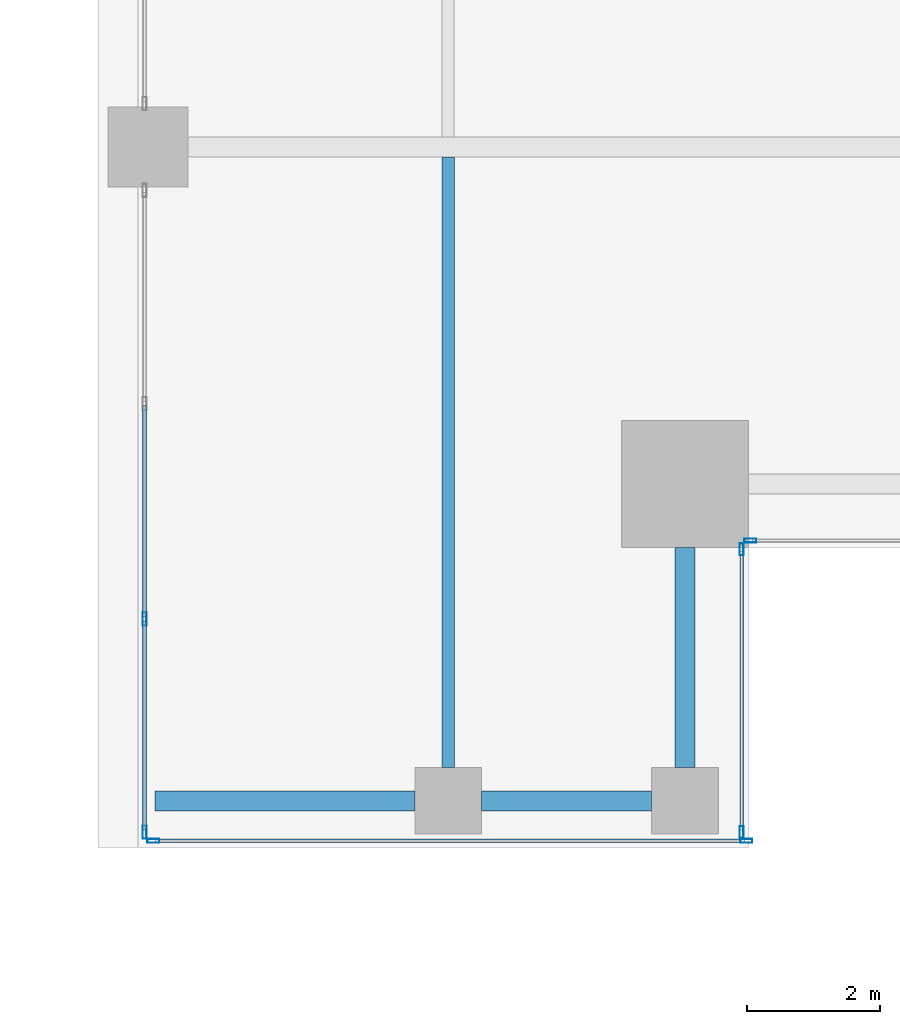
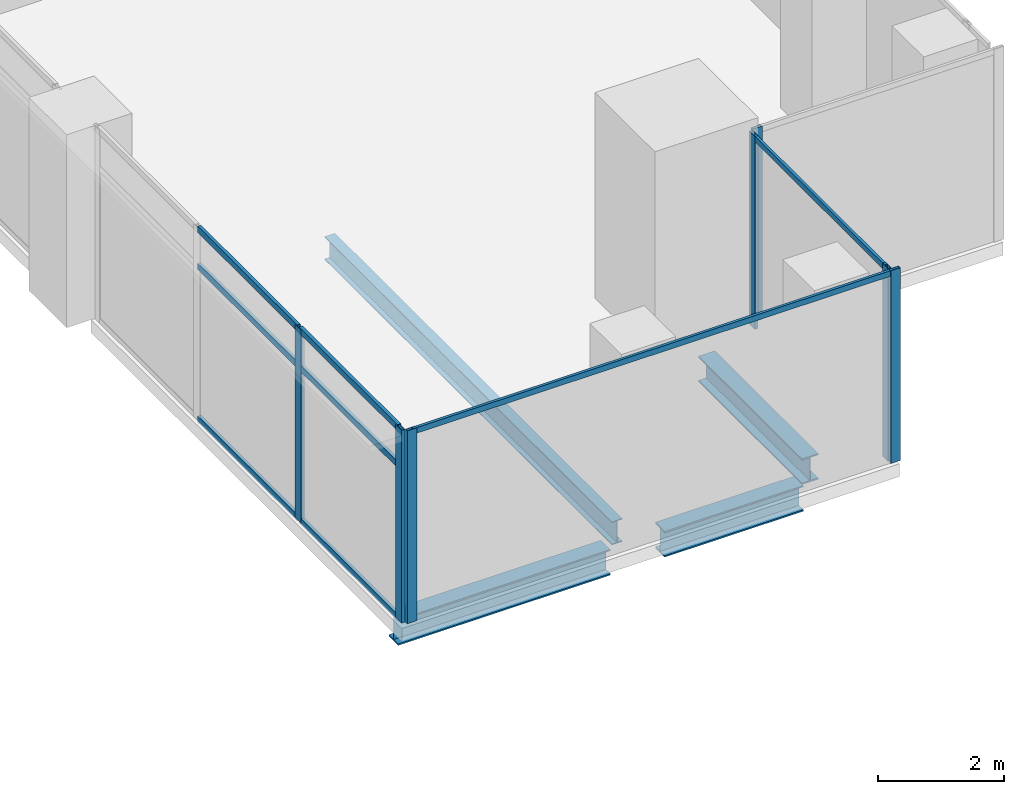
# One storey, part 10 of 38: 15 members, 4 beams, 4 elements without a shape of their own.
"""IFC4 building model written with IfcOpenShell, lengths in metres."""

from ifc_helpers import new_model, si_unit, direction, frame, origin, origin_2d, place, context, subcontext, project, spatial, hollow_rectangle, i_section, extrude, source, transform, mapped, material, material_profile, profile_set, type_object, element, aggregate, save


model = new_model("IFC4")

# Units and contexts
model_context = context("Model", 3, precision=1e-05, world=origin(), true_north=direction((0.0, 1.0)))
body_context = subcontext(model_context, "Body", "Model", "MODEL_VIEW")
ifc_project = project(units=[si_unit("LENGTHUNIT", "METRE"), si_unit("AREAUNIT", "SQUARE_METRE"), si_unit("VOLUMEUNIT", "CUBIC_METRE"), si_unit("PLANEANGLEUNIT", "RADIAN"), si_unit("MASSUNIT", "GRAM", prefix="KILO")], contexts=[model_context])

# Site, building, storey
site_placement = place(None, origin())
site = spatial("IfcSite", under=ifc_project, at=site_placement, CompositionType="ELEMENT")
building_placement = place(site_placement, origin())
building = spatial("IfcBuilding", under=site, at=building_placement, Name="Khomas Fold Tower", CompositionType="ELEMENT")
storey_placement = place(building_placement, frame((0.0, 0.0, 172.699951171875)))
storey = spatial("IfcBuildingStorey", under=building, at=storey_placement, Name="L37", CompositionType="ELEMENT", Elevation=172.699951171875)

# Beams
ifc_material_1 = material(Name="Steel S355", Category="steel")
ifc_material_profile_1 = material_profile(ifc_material_1, i_section(OverallWidth=0.300048828125, OverallDepth=0.5, WebThickness=0.014404296875, FlangeThickness=0.028076171875, at=origin_2d()), Name="HE 500 B")
ifc_profile_set_1 = profile_set([ifc_material_profile_1], Name="Steel S355")
beam_type_1 = type_object("IfcBeamType", Name="HE 500 B spandrel SB3", PredefinedType="SPANDREL", material=ifc_profile_set_1)
shared_shape_1 = source(origin(), body_context, "Body", "SweptSolid", [
    extrude(i_section(OverallWidth=0.300048828125, OverallDepth=0.5, WebThickness=0.014404296875, FlangeThickness=0.028076171875, at=origin_2d()), origin(), (0.0, 0.0, 1.0), 2.550048828125),
])
beam_1_placement = place(storey_placement, frame((42.5, 3.699951171875, -0.5), z_axis=(1.0, 0.0, 0.0), x_axis=(0.0, 1.0, 0.0)))
element("IfcBeam", 1, at=beam_1_placement, inside=storey, type_object=beam_type_1, Name="SB3", PredefinedType="SPANDREL", context=body_context, shape_type="MappedRepresentation", body=[
    mapped(shared_shape_1, transform((0.0, 0.0, 0.0))),
])
shared_shape_2 = source(origin(), body_context, "Body", "SweptSolid", [
    extrude(i_section(OverallWidth=0.300048828125, OverallDepth=0.5, WebThickness=0.014404296875, FlangeThickness=0.028076171875, at=origin_2d()), origin(), (0.0, 0.0, 1.0), 3.89990234375),
])
beam_2_placement = place(storey_placement, frame((37.60009765625, 3.699951171875, -0.5), z_axis=(1.0, 0.0, 0.0), x_axis=(0.0, 1.0, 0.0)))
element("IfcBeam", 2, at=beam_2_placement, inside=storey, type_object=beam_type_1, Name="SB3", PredefinedType="SPANDREL", context=body_context, shape_type="MappedRepresentation", body=[
    mapped(shared_shape_2, transform((0.0, 0.0, 0.0))),
])
shared_shape_3 = source(origin(), body_context, "Body", "SweptSolid", [
    extrude(i_section(OverallWidth=0.300048828125, OverallDepth=0.5, WebThickness=0.014404296875, FlangeThickness=0.028076171875, at=origin_2d()), origin(), (0.0, 0.0, 1.0), 3.300048828125),
])
beam_3_placement = place(storey_placement, frame((45.550048828125, 4.199951171875, -0.5), z_axis=(0.0, 1.0, 0.0), x_axis=(-1.0, 0.0, 0.0)))
element("IfcBeam", 3, at=beam_3_placement, inside=storey, type_object=beam_type_1, Name="SB3", PredefinedType="SPANDREL", context=body_context, shape_type="MappedRepresentation", body=[
    mapped(shared_shape_3, transform((0.0, 0.0, 0.0))),
])
ifc_material_2 = material(Name="Steel S355", Category="steel")
ifc_material_profile_2 = material_profile(ifc_material_2, i_section(OverallWidth=0.18994140625, OverallDepth=0.449951171875, WebThickness=0.009521484375, FlangeThickness=0.0146484375, at=origin_2d()), Name="IPE 450")
ifc_profile_set_2 = profile_set([ifc_material_profile_2], Name="Steel S355")
beam_type_2 = type_object("IfcBeamType", Name="IPE 450 beam JB4", PredefinedType="BEAM", material=ifc_profile_set_2)
shared_shape_4 = source(origin(), body_context, "Body", "SweptSolid", [
    extrude(i_section(OverallWidth=0.18994140625, OverallDepth=0.449951171875, WebThickness=0.009521484375, FlangeThickness=0.0146484375, at=origin_2d()), origin(), (0.0, 0.0, 1.0), 9.150146484375),
])
beam_4_placement = place(storey_placement, frame((42.0, 4.199951171875, -0.474853515625), z_axis=(0.0, 1.0, 0.0), x_axis=(-1.0, 0.0, 0.0)))
element("IfcBeam", 4, at=beam_4_placement, inside=storey, type_object=beam_type_2, Name="JB4", PredefinedType="BEAM", context=body_context, shape_type="MappedRepresentation", body=[
    mapped(shared_shape_4, transform((0.0, 0.0, 0.0))),
])

# Curtain wall, members
ifc_material_3 = material(Name="Aluminium framed double glazing", Category="aluminium")
curtain_wall_type_1 = type_object("IfcCurtainWallType", Name="SK-Unitised clear-glass wall, office floors CW2", PredefinedType="NOTDEFINED", material=ifc_material_3)
curtain_wall_1_placement = place(storey_placement, origin())
curtain_wall_1 = element("IfcCurtainWall", 5, at=curtain_wall_1_placement, inside=storey, type_object=curtain_wall_type_1, Name="CW2 run L37 05-0", PredefinedType="NOTDEFINED")
ifc_material_4 = material(Name="Aluminium", Category="aluminium")
ifc_material_profile_3 = material_profile(ifc_material_4, hollow_rectangle(XDim=0.06005859375, YDim=0.179931640625, WallThickness=0.00390625, at=origin_2d()), Name="SK-Unitised clear-glass wall, office floors mullion CW2-M")
ifc_profile_set_3 = profile_set([ifc_material_profile_3], Name="Aluminium")
member_type_1 = type_object("IfcMemberType", Name="SK-Unitised clear-glass wall, office floors mullion CW2-M", PredefinedType="MULLION", material=ifc_profile_set_3)
shared_shape_5 = source(origin(), body_context, "Body", "SweptSolid", [
    extrude(hollow_rectangle(XDim=0.06005859375, YDim=0.179931640625, WallThickness=0.00390625, at=origin_2d()), origin(), (0.0, 0.0, 1.0), 3.75),
])
member_1_placement = place(storey_placement, frame((37.580078125, 3.10009765625, 0.0), z_axis=(0.0, 0.0, 1.0), x_axis=(0.0, 1.0, 0.0)))
member_1 = element("IfcMember", 6, at=member_1_placement, type_object=member_type_1, Name="CW2 mullion 1", PredefinedType="MULLION", context=body_context, shape_type="MappedRepresentation", body=[
    mapped(shared_shape_5, transform((0.0, 0.0, 0.0))),
])
member_2_placement = place(storey_placement, frame((46.469970703125, 3.10009765625, 0.0), z_axis=(0.0, 0.0, 1.0), x_axis=(0.0, 1.0, 0.0)))
member_2 = element("IfcMember", 7, at=member_2_placement, type_object=member_type_1, Name="CW2 mullion 2", PredefinedType="MULLION", context=body_context, shape_type="MappedRepresentation", body=[
    mapped(shared_shape_5, transform((0.0, 0.0, 0.0))),
])

curtain_wall_2_placement = place(storey_placement, origin())
curtain_wall_2 = element("IfcCurtainWall", 8, at=curtain_wall_2_placement, inside=storey, type_object=curtain_wall_type_1, Name="CW2 corner return L37 06", PredefinedType="NOTDEFINED")
member_3_placement = place(storey_placement, frame((46.39990234375, 3.22998046875, 0.0), z_axis=(0.0, 0.0, 1.0), x_axis=(-1.0, 0.0, 0.0)))
member_3 = element("IfcMember", 9, at=member_3_placement, type_object=member_type_1, Name="CW2 mullion 1", PredefinedType="MULLION", context=body_context, shape_type="MappedRepresentation", body=[
    mapped(shared_shape_5, transform((0.0, 0.0, 0.0))),
])
member_4_placement = place(storey_placement, frame((46.39990234375, 7.469970703125, 0.0), z_axis=(0.0, 0.0, 1.0), x_axis=(-1.0, 0.0, 0.0)))
member_4 = element("IfcMember", 10, at=member_4_placement, type_object=member_type_1, Name="CW2 mullion 2", PredefinedType="MULLION", context=body_context, shape_type="MappedRepresentation", body=[
    mapped(shared_shape_5, transform((0.0, 0.0, 0.0))),
])

# Curtain wall, member
curtain_wall_3_placement = place(storey_placement, origin())
curtain_wall_3 = element("IfcCurtainWall", 11, at=curtain_wall_3_placement, inside=storey, type_object=curtain_wall_type_1, Name="CW2 corner return L37 07", PredefinedType="NOTDEFINED")
member_5_placement = place(storey_placement, frame((46.530029296875, 7.60009765625, 0.0), z_axis=(0.0, 0.0, 1.0), x_axis=(0.0, 1.0, 0.0)))
member_5 = element("IfcMember", 12, at=member_5_placement, type_object=member_type_1, Name="CW2 mullion 1", PredefinedType="MULLION", context=body_context, shape_type="MappedRepresentation", body=[
    mapped(shared_shape_5, transform((0.0, 0.0, 0.0))),
])
aggregate(curtain_wall_3, [member_5])

# Member
ifc_material_5 = material(Name="Aluminium", Category="aluminium")
ifc_material_profile_4 = material_profile(ifc_material_5, hollow_rectangle(XDim=0.050048828125, YDim=0.110107421875, WallThickness=0.00390625, at=origin_2d()), Name="SK-Unitised clear-glass wall, office floors transom CW2-T")
ifc_profile_set_4 = profile_set([ifc_material_profile_4], Name="Aluminium")
member_type_2 = type_object("IfcMemberType", Name="SK-Unitised clear-glass wall, office floors transom CW2-T", PredefinedType="USERDEFINED", material=ifc_profile_set_4)
shared_shape_6 = source(origin(), body_context, "Body", "SweptSolid", [
    extrude(hollow_rectangle(XDim=0.050048828125, YDim=0.110107421875, WallThickness=0.00390625, at=origin_2d()), origin(), (0.0, 0.0, 1.0), 4.179931640625),
])
member_6_placement = place(storey_placement, frame((46.39990234375, 3.260009765625, 3.695068359375), z_axis=(0.0, 1.0, 0.0), x_axis=(-1.0, 0.0, 0.0)))
member_6 = element("IfcMember", 13, at=member_6_placement, type_object=member_type_2, Name="CW2 transom 1", ObjectType="TRANSOM", PredefinedType="USERDEFINED", context=body_context, shape_type="MappedRepresentation", body=[
    mapped(shared_shape_6, transform((0.0, 0.0, 0.0))),
])

aggregate(curtain_wall_2, [member_3, member_4, member_6])

shared_shape_7 = source(origin(), body_context, "Body", "SweptSolid", [
    extrude(hollow_rectangle(XDim=0.050048828125, YDim=0.110107421875, WallThickness=0.00390625, at=origin_2d()), origin(), (0.0, 0.0, 1.0), 8.829833984375),
])
member_7_placement = place(storey_placement, frame((37.610107421875, 3.10009765625, 3.695068359375), z_axis=(1.0, 0.0, 0.0), x_axis=(0.0, 1.0, 0.0)))
member_7 = element("IfcMember", 14, at=member_7_placement, type_object=member_type_2, Name="CW2 transom 1", ObjectType="TRANSOM", PredefinedType="USERDEFINED", context=body_context, shape_type="MappedRepresentation", body=[
    mapped(shared_shape_7, transform((0.0, 0.0, 0.0))),
])

aggregate(curtain_wall_1, [member_1, member_2, member_7])

# Curtain wall, members
ifc_material_6 = material(Name="Aluminium framed double glazing", Category="aluminium")
curtain_wall_type_2 = type_object("IfcCurtainWallType", Name="Notch glazing GN-CW", PredefinedType="NOTDEFINED", material=ifc_material_6)
curtain_wall_4_placement = place(storey_placement, origin())
curtain_wall_4 = element("IfcCurtainWall", 15, at=curtain_wall_4_placement, inside=storey, type_object=curtain_wall_type_2, Name="Notch glazing run", PredefinedType="NOTDEFINED")
ifc_material_7 = material(Name="Aluminium", Category="aluminium")
ifc_material_profile_5 = material_profile(ifc_material_7, hollow_rectangle(XDim=0.06005859375, YDim=0.199951171875, WallThickness=0.00390625, at=origin_2d()), Name="Notch glazing mullion GN-CW-M")
ifc_profile_set_5 = profile_set([ifc_material_profile_5], Name="Aluminium")
member_type_3 = type_object("IfcMemberType", Name="Notch glazing mullion GN-CW-M", PredefinedType="MULLION", material=ifc_profile_set_5)
shared_shape_8 = source(origin(), body_context, "Body", "SweptSolid", [
    extrude(hollow_rectangle(XDim=0.06005859375, YDim=0.199951171875, WallThickness=0.00390625, at=origin_2d()), origin(), (0.0, 0.0, 1.0), 3.75),
])
member_8_placement = place(storey_placement, frame((37.449951171875, 6.4267578125, 0.0), z_axis=(0.0, 0.0, 1.0), x_axis=(1.0, 0.0, 0.0)))
member_8 = element("IfcMember", 16, at=member_8_placement, type_object=member_type_3, Name="GN-CW mullion 3", PredefinedType="MULLION", context=body_context, shape_type="MappedRepresentation", body=[
    mapped(shared_shape_8, transform((0.0, 0.0, 0.0))),
])
member_9_placement = place(storey_placement, frame((37.449951171875, 3.22998046875, 0.0), z_axis=(0.0, 0.0, 1.0), x_axis=(1.0, 0.0, 0.0)))
member_9 = element("IfcMember", 17, at=member_9_placement, type_object=member_type_3, Name="GN-CW mullion 4", PredefinedType="MULLION", context=body_context, shape_type="MappedRepresentation", body=[
    mapped(shared_shape_8, transform((0.0, 0.0, 0.0))),
])
ifc_material_8 = material(Name="Aluminium", Category="aluminium")
ifc_material_profile_6 = material_profile(ifc_material_8, hollow_rectangle(XDim=0.06005859375, YDim=0.1201171875, WallThickness=0.00390625, at=origin_2d()), Name="Notch glazing transom GN-CW-T")
ifc_profile_set_6 = profile_set([ifc_material_profile_6], Name="Aluminium")
member_type_4 = type_object("IfcMemberType", Name="Notch glazing transom GN-CW-T", PredefinedType="USERDEFINED", material=ifc_profile_set_6)
shared_shape_9 = source(origin(), body_context, "Body", "SweptSolid", [
    extrude(hollow_rectangle(XDim=0.06005859375, YDim=0.1201171875, WallThickness=0.00390625, at=origin_2d()), origin(), (0.0, 0.0, 1.0), 3.13671875),
])
member_10_placement = place(storey_placement, frame((37.449951171875, 6.396728515625, 0.030029296875), z_axis=(0.0, -1.0, 0.0), x_axis=(1.0, 0.0, 0.0)))
member_10 = element("IfcMember", 18, at=member_10_placement, type_object=member_type_4, Name="GN-CW transom 3.1", ObjectType="TRANSOM", PredefinedType="USERDEFINED", context=body_context, shape_type="MappedRepresentation", body=[
    mapped(shared_shape_9, transform((0.0, 0.0, 0.0))),
])
member_11_placement = place(storey_placement, frame((37.449951171875, 6.396728515625, 3.0), z_axis=(0.0, -1.0, 0.0), x_axis=(1.0, 0.0, 0.0)))
member_11 = element("IfcMember", 19, at=member_11_placement, type_object=member_type_4, Name="GN-CW transom 3.2", ObjectType="TRANSOM", PredefinedType="USERDEFINED", context=body_context, shape_type="MappedRepresentation", body=[
    mapped(shared_shape_9, transform((0.0, 0.0, 0.0))),
])
member_12_placement = place(storey_placement, frame((37.449951171875, 6.396728515625, 3.719970703125), z_axis=(0.0, -1.0, 0.0), x_axis=(1.0, 0.0, 0.0)))
member_12 = element("IfcMember", 20, at=member_12_placement, type_object=member_type_4, Name="GN-CW transom 3.3", ObjectType="TRANSOM", PredefinedType="USERDEFINED", context=body_context, shape_type="MappedRepresentation", body=[
    mapped(shared_shape_9, transform((0.0, 0.0, 0.0))),
])
shared_shape_10 = source(origin(), body_context, "Body", "SweptSolid", [
    extrude(hollow_rectangle(XDim=0.06005859375, YDim=0.1201171875, WallThickness=0.00390625, at=origin_2d()), origin(), (0.0, 0.0, 1.0), 3.16650390625),
])
member_13_placement = place(storey_placement, frame((37.449951171875, 9.623291015625, 0.030029296875), z_axis=(0.0, -1.0, 0.0), x_axis=(1.0, 0.0, 0.0)))
member_13 = element("IfcMember", 21, at=member_13_placement, type_object=member_type_4, Name="GN-CW transom 2.1", ObjectType="TRANSOM", PredefinedType="USERDEFINED", context=body_context, shape_type="MappedRepresentation", body=[
    mapped(shared_shape_10, transform((0.0, 0.0, 0.0))),
])
member_14_placement = place(storey_placement, frame((37.449951171875, 9.623291015625, 3.0), z_axis=(0.0, -1.0, 0.0), x_axis=(1.0, 0.0, 0.0)))
member_14 = element("IfcMember", 22, at=member_14_placement, type_object=member_type_4, Name="GN-CW transom 2.2", ObjectType="TRANSOM", PredefinedType="USERDEFINED", context=body_context, shape_type="MappedRepresentation", body=[
    mapped(shared_shape_10, transform((0.0, 0.0, 0.0))),
])
member_15_placement = place(storey_placement, frame((37.449951171875, 9.623291015625, 3.719970703125), z_axis=(0.0, -1.0, 0.0), x_axis=(1.0, 0.0, 0.0)))
member_15 = element("IfcMember", 23, at=member_15_placement, type_object=member_type_4, Name="GN-CW transom 2.3", ObjectType="TRANSOM", PredefinedType="USERDEFINED", context=body_context, shape_type="MappedRepresentation", body=[
    mapped(shared_shape_10, transform((0.0, 0.0, 0.0))),
])
aggregate(curtain_wall_4, [member_8, member_9, member_13, member_14, member_15, member_10, member_11, member_12])

save(model, "model.ifc")
